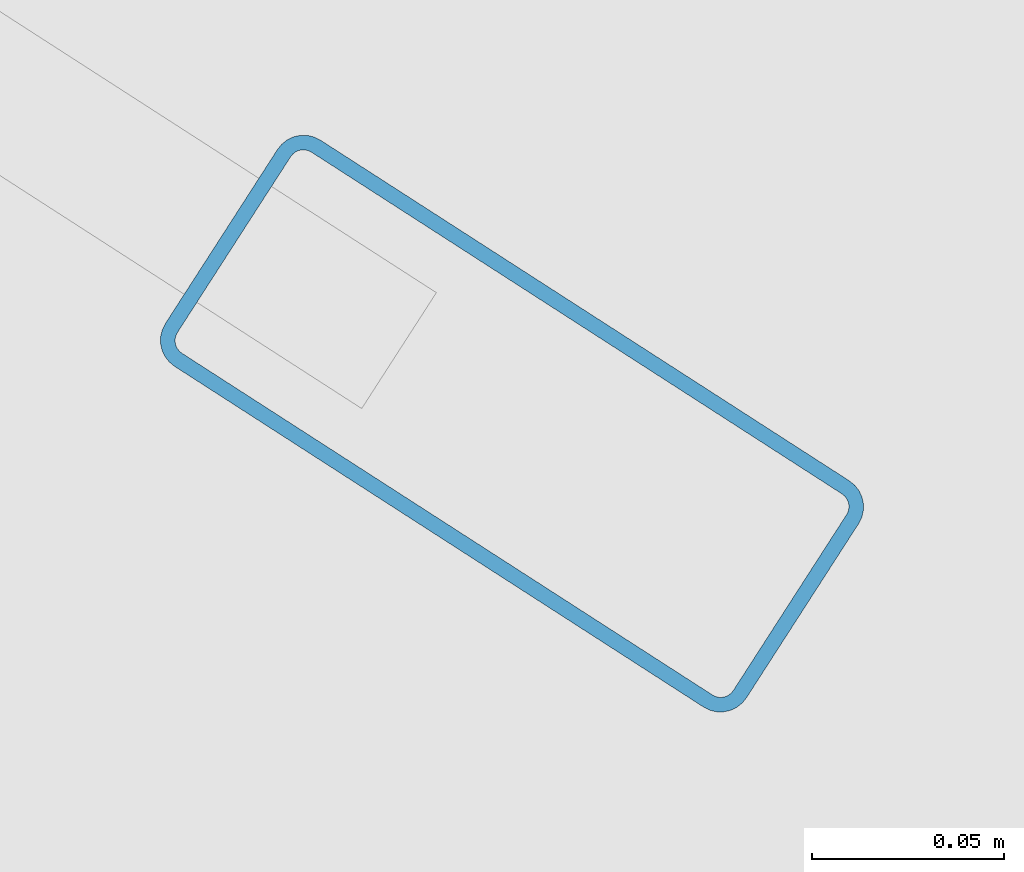
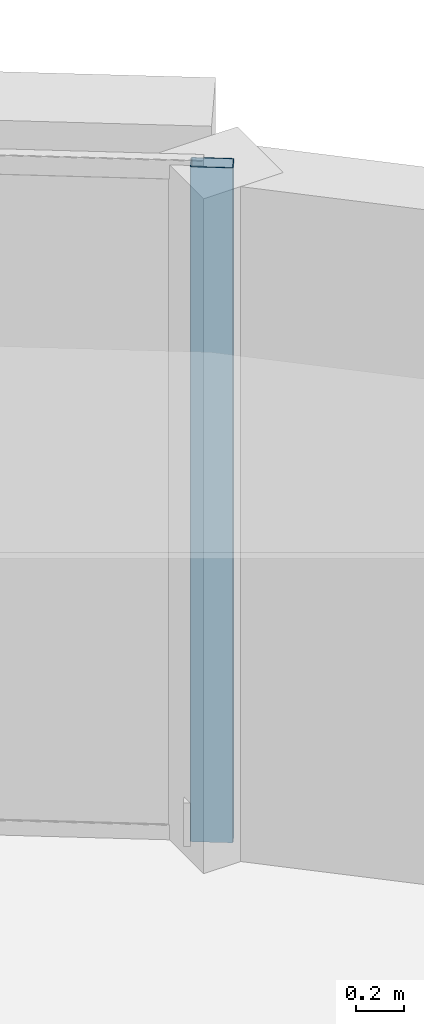
# One storey, part 5 of 15: 1 member, 1 element without a shape of its own.
"""IFC4 building model written with IfcOpenShell, lengths in metres."""

from ifc_helpers import new_model, si_unit, direction, frame, origin, origin_2d, place, context, subcontext, project, spatial, hollow_rectangle, extrude, material, layer, layer_set, material_profile, profile_set, type_object, element, aggregate, save


model = new_model("IFC4")

# Units and contexts
model_context = context("Model", 3, precision=1e-05, world=origin(), true_north=direction((0.0, 1.0)))
body_context = subcontext(model_context, "Body", "Model", "MODEL_VIEW")
ifc_project = project(units=[si_unit("LENGTHUNIT", "METRE"), si_unit("AREAUNIT", "SQUARE_METRE"), si_unit("VOLUMEUNIT", "CUBIC_METRE"), si_unit("PLANEANGLEUNIT", "RADIAN"), si_unit("MASSUNIT", "GRAM", prefix="KILO")], contexts=[model_context])

# Site, building, storey
site_placement = place(None, origin())
site = spatial("IfcSite", under=ifc_project, at=site_placement, CompositionType="ELEMENT")
building_placement = place(site_placement, origin())
building = spatial("IfcBuilding", under=site, at=building_placement, Name="An Khanh Terracotta Commons", CompositionType="ELEMENT")
storey_placement = place(building_placement, frame((0.0, 0.0, 169.0)))
storey = spatial("IfcBuildingStorey", under=building, at=storey_placement, Name="L44", CompositionType="ELEMENT", Elevation=169.0)

# Curtain wall, member
ifc_material = material(Name="Anodised Aluminium 6063-T6", Category="aluminium")
ifc_layer = layer(ifc_material, 0.2099609375, Name="Anodised Aluminium 6063-T6")
ifc_layer_set = layer_set([ifc_layer], Name="Anodised Aluminium 6063-T6")
curtain_wall_type = type_object("IfcCurtainWallType", Name="CW-SYS-03", PredefinedType="USERDEFINED", material=ifc_layer_set)
curtain_wall_placement = place(storey_placement, origin())
curtain_wall = element("IfcCurtainWall", 1, at=curtain_wall_placement, inside=storey, type_object=curtain_wall_type, Name="L44 CW-03 Unitised Curtain Wall CW-L44-16", ObjectType="UNITISED CURTAIN WALL", PredefinedType="USERDEFINED")
ifc_material_profile = material_profile(ifc_material, hollow_rectangle(XDim=0.070068359375, YDim=0.179931640625, WallThickness=0.00390625, InnerFilletRadius=0.00390625, OuterFilletRadius=0.008056640625, at=origin_2d()), Name="RHS180x70x4")
ifc_profile_set = profile_set([ifc_material_profile], Name="Anodised Aluminium 6063-T6")
member_type = type_object("IfcMemberType", Name="CWM-RHS180x70x4", PredefinedType="MULLION", material=ifc_profile_set)
member_placement = place(storey_placement, frame((60.448486328125, 35.843017578125, 0.0), z_axis=(0.0, 0.0, 1.0), x_axis=(-0.541497931062, -0.840702081986, 0.0)))
member = element("IfcMember", 2, at=member_placement, type_object=member_type, Name="CW-03 mullion 1", PredefinedType="MULLION", context=body_context, shape_type="SweptSolid", body=[
    extrude(hollow_rectangle(XDim=0.070068359375, YDim=0.179931640625, WallThickness=0.00390625, InnerFilletRadius=0.00390625, OuterFilletRadius=0.008056640625, at=origin_2d()), origin(), (0.0, 0.0, 1.0), 3.39990234375),
])
aggregate(curtain_wall, [member])

save(model, "model.ifc")
